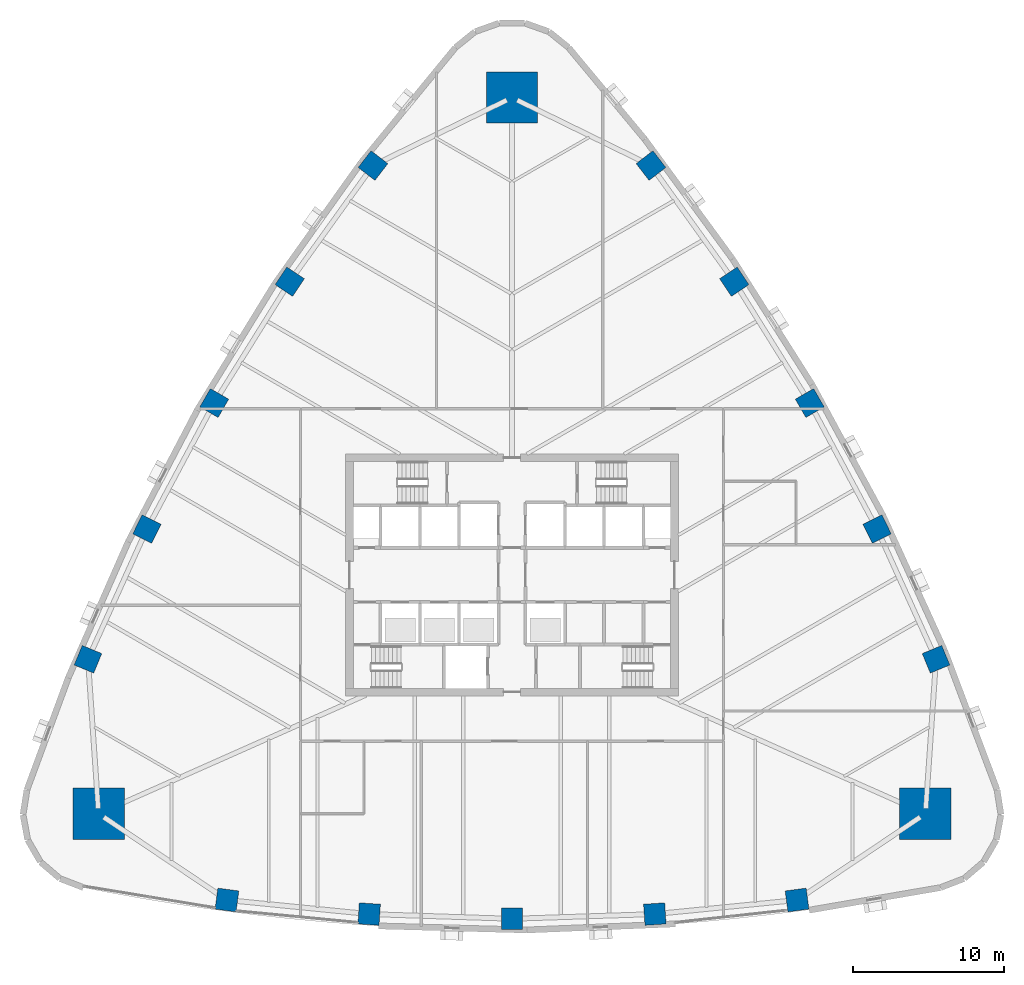
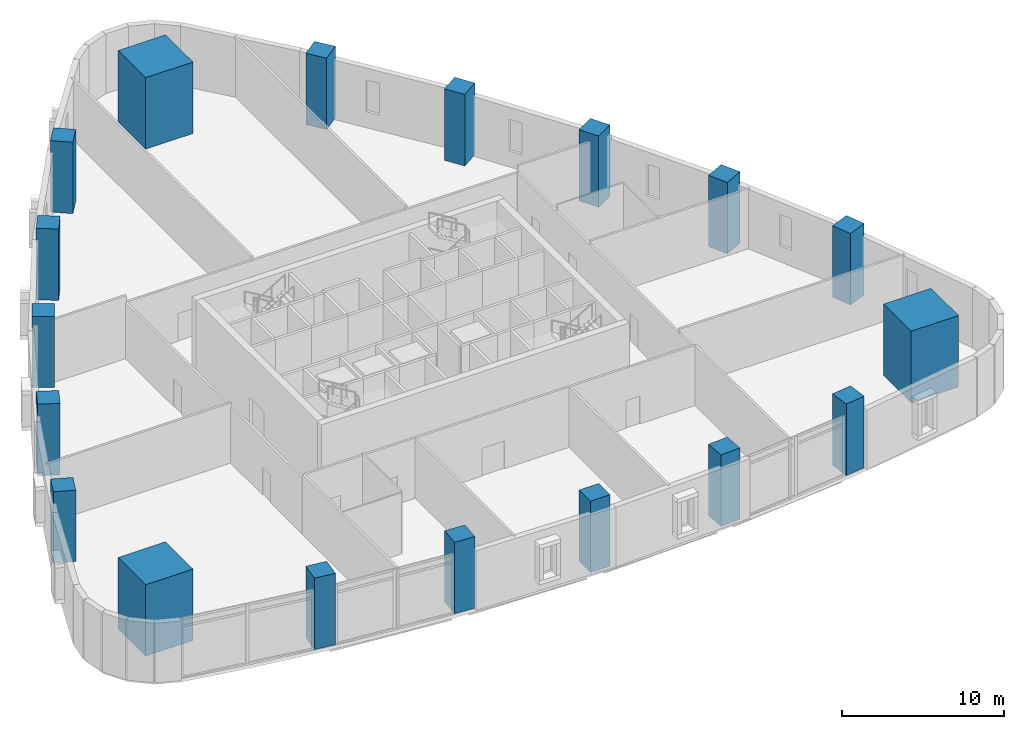
# One storey, part 1 of 14: 18 columns.
"""IFC4 building model written with IfcOpenShell, lengths in metres."""

from ifc_helpers import new_model, si_unit, direction, frame, origin, origin_2d, place, context, subcontext, project, spatial, rectangle, extrude, material, material_profile, profile_set, type_object, element, save


model = new_model("IFC4")

# Units and contexts
model_context = context("Model", 3, precision=1e-05, world=origin(), true_north=direction((0.0, 1.0)))
body_context = subcontext(model_context, "Body", "Model", "MODEL_VIEW")
ifc_project = project(units=[si_unit("LENGTHUNIT", "METRE"), si_unit("AREAUNIT", "SQUARE_METRE"), si_unit("VOLUMEUNIT", "CUBIC_METRE"), si_unit("PLANEANGLEUNIT", "RADIAN"), si_unit("MASSUNIT", "GRAM", prefix="KILO")], contexts=[model_context])

# Site, building, storey
site_placement = place(None, origin())
site = spatial("IfcSite", under=ifc_project, at=site_placement, CompositionType="ELEMENT")
building_placement = place(site_placement, origin())
building = spatial("IfcBuilding", under=site, at=building_placement, Name="Sierra Prisma Convention Tower", CompositionType="ELEMENT")
storey_placement = place(building_placement, frame((0.0, 0.0, 16.800048828125)))
storey = spatial("IfcBuildingStorey", under=building, at=storey_placement, Name="L02", CompositionType="ELEMENT", Elevation=16.800048828125)

# Columns
ifc_material_1 = material(Name="Concrete C70/85", Category="concrete")
ifc_material_profile_1 = material_profile(ifc_material_1, rectangle(XDim=3.39990234375, YDim=3.39990234375, at=origin_2d()), Name="Mega column RC 3400 C70/85")
ifc_profile_set_1 = profile_set([ifc_material_profile_1], Name="Concrete C70/85")
column_type_1 = type_object("IfcColumnType", Name="Mega column RC 3400 C70/85", PredefinedType="COLUMN", material=ifc_profile_set_1)
for number, where, z_axis, x_axis, name in (
    (1, (27.35498046875, -15.79345703125, 0.0), (0.0, 0.0, 1.0), (1.0, 0.0, 0.0), "Mega column SE L02"),
    (2, (0.0, 31.5869140625, 0.0), (0.0, 0.0, 1.0), (1.0, 0.0, 0.0), "Mega column N L02"),
    (3, (-27.35498046875, -15.79345703125, 0.0), (0.0, 0.0, 1.0), (1.0, 0.0, 0.0), "Mega column SW L02"),
):
    element("IfcColumn", number, at=place(storey_placement, frame(where, z_axis=z_axis, x_axis=x_axis)), inside=storey, type_object=column_type_1, Name=name, PredefinedType="COLUMN", context=body_context, shape_type="SweptSolid", body=[
        extrude(rectangle(XDim=3.39990234375, YDim=3.39990234375, at=origin_2d()), origin(), (0.0, 0.0, 1.0), 5.39990234375),
    ])
ifc_material_2 = material(Name="Concrete C70/85", Category="concrete")
ifc_material_profile_2 = material_profile(ifc_material_2, rectangle(XDim=1.39990234375, YDim=1.39990234375, at=origin_2d()), Name="Perimeter column RC 1400 C70/85")
ifc_profile_set_2 = profile_set([ifc_material_profile_2], Name="Concrete C70/85")
column_type_2 = type_object("IfcColumnType", Name="Perimeter column RC 1400 C70/85", PredefinedType="COLUMN", material=ifc_profile_set_2)
for number, where, z_axis, x_axis, name in (
    (4, (-18.85986328125, -21.50830078125, 0.0), (0.0, 0.0, 1.0), (-0.991367231014, 0.131114504428, 0.0), "Perimeter column S-1 L02"),
    (5, (-9.450439453125, -22.439208984375, 0.0), (0.0, 0.0, 1.0), (-0.997839473817, 0.06569919705, 0.0), "Perimeter column S-2 L02"),
    (6, (0.0, -22.75, 0.0), (0.0, 0.0, 1.0), (1.0, 0.0, 0.0), "Perimeter column S-3 L02"),
    (7, (9.450439453125, -22.439208984375, 0.0), (0.0, 0.0, 1.0), (0.997839473817, 0.06569919705, 0.0), "Perimeter column S-4 L02"),
    (8, (18.85986328125, -21.50830078125, 0.0), (0.0, 0.0, 1.0), (0.991367231014, 0.131114504428, 0.0), "Perimeter column S-5 L02"),
    (9, (28.056640625, -5.5791015625, 0.0), (0.0, 0.0, 1.0), (-0.382135123868, 0.924106458752, 0.0), "Perimeter column NE-1 L02"),
    (10, (24.158203125, 3.035400390625, 0.0), (0.0, 0.0, 1.0), (-0.442022563255, 0.897003931749, 0.0), "Perimeter column NE-2 L02"),
    (11, (19.7021484375, 11.375, 0.0), (0.0, 0.0, 1.0), (-0.5, 0.866025403784, 0.0), "Perimeter column NE-3 L02"),
    (12, (14.707763671875, 19.40380859375, 0.0), (0.0, 0.0, 1.0), (-0.555816910562, 0.8313047347, 0.0), "Perimeter column NE-4 L02"),
    (13, (9.19677734375, 27.08740234375, 0.0), (0.0, 0.0, 1.0), (-0.609232107146, 0.792991954324, 0.0), "Perimeter column NE-5 L02"),
    (14, (-9.19677734375, 27.08740234375, 0.0), (0.0, 0.0, 1.0), (0.609232107146, 0.792991954324, 0.0), "Perimeter column NW-1 L02"),
    (15, (-14.707763671875, 19.40380859375, 0.0), (0.0, 0.0, 1.0), (0.555816910562, 0.8313047347, 0.0), "Perimeter column NW-2 L02"),
    (16, (-19.7021484375, 11.375, 0.0), (0.0, 0.0, 1.0), (0.5, 0.866025403784, 0.0), "Perimeter column NW-3 L02"),
    (17, (-24.158203125, 3.035400390625, 0.0), (0.0, 0.0, 1.0), (0.442022563255, 0.897003931749, 0.0), "Perimeter column NW-4 L02"),
    (18, (-28.056640625, -5.5791015625, 0.0), (0.0, 0.0, 1.0), (0.382135123868, 0.924106458752, 0.0), "Perimeter column NW-5 L02"),
):
    element("IfcColumn", number, at=place(storey_placement, frame(where, z_axis=z_axis, x_axis=x_axis)), inside=storey, type_object=column_type_2, Name=name, PredefinedType="COLUMN", context=body_context, shape_type="SweptSolid", body=[
        extrude(rectangle(XDim=1.39990234375, YDim=1.39990234375, at=origin_2d()), origin(), (0.0, 0.0, 1.0), 5.39990234375),
    ])

save(model, "model.ifc")
